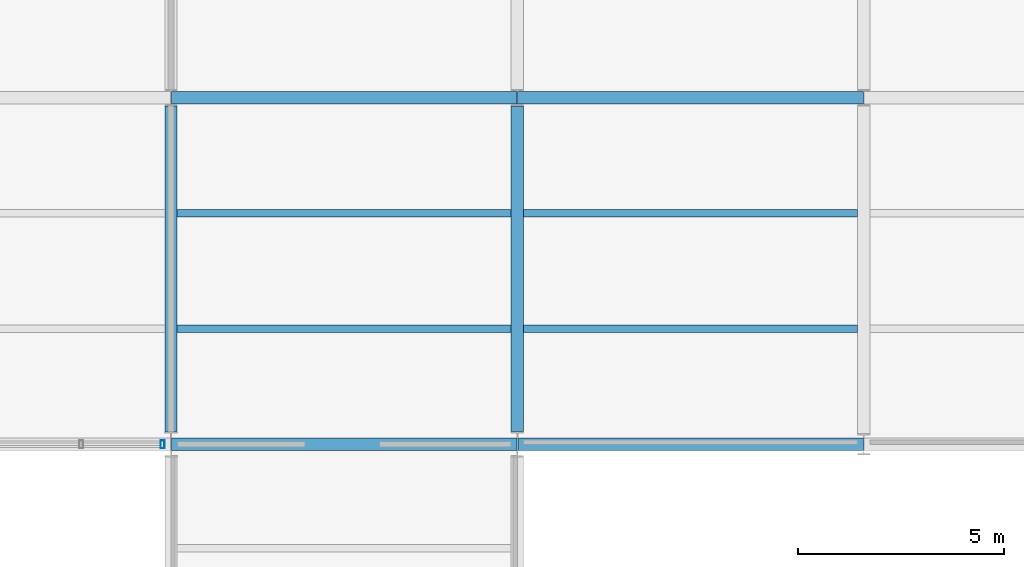
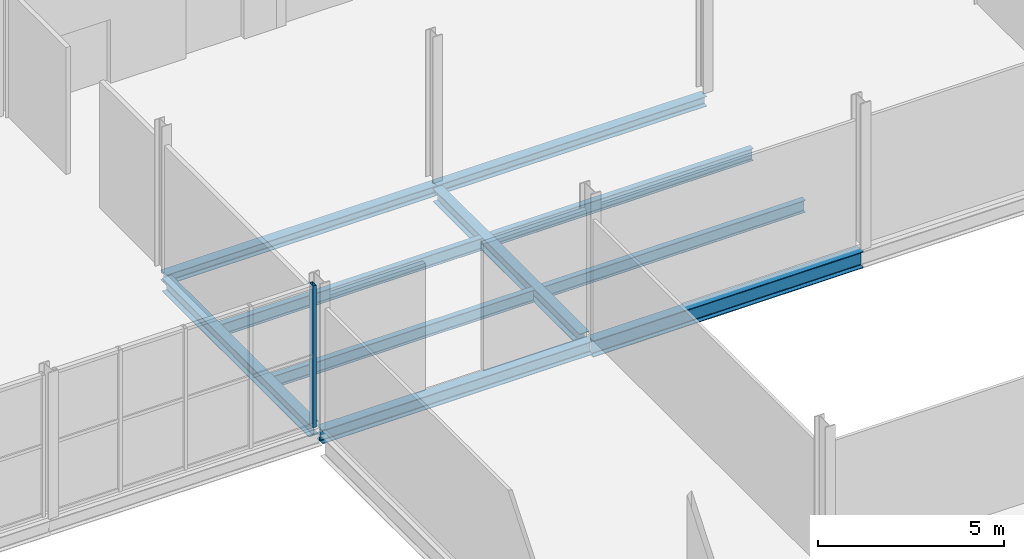
# One storey, part 16 of 57: 10 beams, 1 member, 1 element without a shape of its own.
"""IFC4 building model written with IfcOpenShell, lengths in metres."""

from ifc_helpers import new_model, si_unit, direction, frame, origin, origin_2d, place, context, subcontext, project, spatial, hollow_rectangle, i_section, extrude, material, layer, layer_set, material_profile, profile_set, type_object, element, aggregate, save


model = new_model("IFC4")

# Units and contexts
model_context = context("Model", 3, precision=1e-05, world=origin(), true_north=direction((0.0, 1.0)))
body_context = subcontext(model_context, "Body", "Model", "MODEL_VIEW")
ifc_project = project(units=[si_unit("LENGTHUNIT", "METRE"), si_unit("AREAUNIT", "SQUARE_METRE"), si_unit("VOLUMEUNIT", "CUBIC_METRE"), si_unit("PLANEANGLEUNIT", "RADIAN"), si_unit("MASSUNIT", "GRAM", prefix="KILO")], contexts=[model_context])

# Site, building, storey
site_placement = place(None, origin())
site = spatial("IfcSite", under=ifc_project, at=site_placement, CompositionType="ELEMENT")
building_placement = place(site_placement, origin())
building = spatial("IfcBuilding", under=site, at=building_placement, Name="Galleria Vessillo Department Store", CompositionType="ELEMENT")
storey_placement = place(building_placement, frame((0.0, 0.0, 21.0)))
storey = spatial("IfcBuildingStorey", under=building, at=storey_placement, Name="L04", CompositionType="ELEMENT", Elevation=21.0)

# Beams
ifc_material_1 = material(Name="Steel S355 J2", Category="steel")
ifc_material_profile_1 = material_profile(ifc_material_1, i_section(OverallWidth=0.300048828125, OverallDepth=0.43994140625, WebThickness=0.011474609375, FlangeThickness=0.02099609375, FilletRadius=0.027099609375, at=origin_2d()), Name="HEA 450")
ifc_profile_set_1 = profile_set([ifc_material_profile_1], Name="Steel S355 J2")
beam_type_1 = type_object("IfcBeamType", Name="Bridge girder HEA 450", PredefinedType="BEAM", material=ifc_profile_set_1)
beam_1_placement = place(storey_placement, frame((33.610595703125, 37.800048828125, -0.369873046875), z_axis=(1.0, 0.0, 0.0), x_axis=(0.0, 1.0, 0.0)))
element("IfcBeam", 1, at=beam_1_placement, inside=storey, type_object=beam_type_1, Name="S-BM-L04-BR-x37800-33611", PredefinedType="BEAM", context=body_context, shape_type="SweptSolid", body=[
    extrude(i_section(OverallWidth=0.300048828125, OverallDepth=0.43994140625, WebThickness=0.011474609375, FlangeThickness=0.02099609375, FilletRadius=0.027099609375, at=origin_2d()), origin(), (0.0, 0.0, 1.0), 8.378662109375),
])
ifc_material_2 = material(Name="Steel S355 J2", Category="steel")
ifc_material_profile_2 = material_profile(ifc_material_2, i_section(OverallWidth=0.300048828125, OverallDepth=0.43994140625, WebThickness=0.011474609375, FlangeThickness=0.02099609375, FilletRadius=0.027099609375, at=origin_2d()), Name="HEA 450")
ifc_profile_set_2 = profile_set([ifc_material_profile_2], Name="Steel S355 J2")
beam_type_2 = type_object("IfcBeamType", Name="Floor girder HEA 450", PredefinedType="BEAM", material=ifc_profile_set_2)
for number, where, z_axis, x_axis, name in (
    (2, (33.60009765625, 38.110107421875, -0.369873046875), (0.0, 1.0, 0.0), (-1.0, 0.0, 0.0), "S-BM-L04-GI-y33600-38110"),
    (3, (42.0, 38.110107421875, -0.369873046875), (0.0, 1.0, 0.0), (-1.0, 0.0, 0.0), "S-BM-L04-GI-y42000-38110"),
):
    element("IfcBeam", number, at=place(storey_placement, frame(where, z_axis=z_axis, x_axis=x_axis)), inside=storey, type_object=beam_type_2, Name=name, PredefinedType="BEAM", context=body_context, shape_type="SweptSolid", body=[
        extrude(i_section(OverallWidth=0.300048828125, OverallDepth=0.43994140625, WebThickness=0.011474609375, FlangeThickness=0.02099609375, FilletRadius=0.027099609375, at=origin_2d()), origin(), (0.0, 0.0, 1.0), 7.8896484375),
    ])
ifc_material_3 = material(Name="Steel S355 J2", Category="steel")
ifc_material_profile_3 = material_profile(ifc_material_3, i_section(OverallWidth=0.179931640625, OverallDepth=0.39990234375, WebThickness=0.008544921875, FlangeThickness=0.013427734375, FilletRadius=0.02099609375, at=origin_2d()), Name="IPE 400")
ifc_profile_set_3 = profile_set([ifc_material_profile_3], Name="Steel S355 J2")
beam_type_3 = type_object("IfcBeamType", Name="Floor joist IPE 400", PredefinedType="JOIST", material=ifc_profile_set_3)
for number, where, z_axis, x_axis, name in (
    (4, (33.750244140625, 40.60009765625, -0.349853515625), (1.0, 0.0, 0.0), (0.0, 1.0, 0.0), "S-BM-L04-JO-x40600-33750"),
    (5, (33.750244140625, 43.39990234375, -0.349853515625), (1.0, 0.0, 0.0), (0.0, 1.0, 0.0), "S-BM-L04-JO-x43400-33750"),
    (6, (42.150146484375, 40.60009765625, -0.349853515625), (1.0, 0.0, 0.0), (0.0, 1.0, 0.0), "S-BM-L04-JO-x40600-42150"),
    (7, (42.150146484375, 43.39990234375, -0.349853515625), (1.0, 0.0, 0.0), (0.0, 1.0, 0.0), "S-BM-L04-JO-x43400-42150"),
):
    element("IfcBeam", number, at=place(storey_placement, frame(where, z_axis=z_axis, x_axis=x_axis)), inside=storey, type_object=beam_type_3, Name=name, PredefinedType="JOIST", context=body_context, shape_type="SweptSolid", body=[
        extrude(i_section(OverallWidth=0.179931640625, OverallDepth=0.39990234375, WebThickness=0.008544921875, FlangeThickness=0.013427734375, FilletRadius=0.02099609375, at=origin_2d()), origin(), (0.0, 0.0, 1.0), 8.099609375),
    ])
ifc_material_4 = material(Name="Steel S355 J2", Category="steel")
ifc_material_profile_4 = material_profile(ifc_material_4, i_section(OverallWidth=0.300048828125, OverallDepth=0.330078125, WebThickness=0.009521484375, FlangeThickness=0.0166015625, FilletRadius=0.027099609375, at=origin_2d()), Name="HEA 340")
ifc_profile_set_4 = profile_set([ifc_material_profile_4], Name="Steel S355 J2")
beam_type_4 = type_object("IfcBeamType", Name="Floor tie girder HEA 340", PredefinedType="BEAM", material=ifc_profile_set_4)
for number, where, z_axis, x_axis, name in (
    (8, (33.60693359375, 46.199951171875, -0.31494140625), (1.0, 0.0, 0.0), (0.0, 1.0, 0.0), "S-BM-L04-TI-x46200-33607"),
    (9, (42.0068359375, 46.199951171875, -0.31494140625), (1.0, 0.0, 0.0), (0.0, 1.0, 0.0), "S-BM-L04-TI-x46200-42007"),
):
    element("IfcBeam", number, at=place(storey_placement, frame(where, z_axis=z_axis, x_axis=x_axis)), inside=storey, type_object=beam_type_4, Name=name, PredefinedType="BEAM", context=body_context, shape_type="SweptSolid", body=[
        extrude(i_section(OverallWidth=0.300048828125, OverallDepth=0.330078125, WebThickness=0.009521484375, FlangeThickness=0.0166015625, FilletRadius=0.027099609375, at=origin_2d()), origin(), (0.0, 0.0, 1.0), 8.38623046875),
    ])

# Curtain wall, member
ifc_material_5 = material(Name="Steel and fire-resisting glass curtain wall", Category="steel")
ifc_layer = layer(ifc_material_5, 0.199951171875)
ifc_layer_set = layer_set([ifc_layer], Name="Steel and fire-resisting glass curtain wall")
curtain_wall_type = type_object("IfcCurtainWallType", Name="Arcade fire-resisting glazed shopfront EI 120-Sa", PredefinedType="NOTDEFINED", material=ifc_layer_set)
curtain_wall_placement = place(storey_placement, origin())
curtain_wall = element("IfcCurtainWall", 10, at=curtain_wall_placement, inside=storey, type_object=curtain_wall_type, Name="Arcade fire-resisting glazed shopfront EI 120-Sa AI-AW-N-L04-02", PredefinedType="NOTDEFINED")
ifc_material_6 = material(Name="Steel S355 J2", Category="steel")
ifc_material_profile_5 = material_profile(ifc_material_6, hollow_rectangle(XDim=0.199951171875, YDim=0.10009765625, WallThickness=0.008056640625, at=origin_2d()), Name="RHS 200x100x8")
ifc_profile_set_5 = profile_set([ifc_material_profile_5], Name="Steel S355 J2")
member_type = type_object("IfcMemberType", Name="Steel mullion RHS 200x100x8", PredefinedType="MULLION", material=ifc_profile_set_5)
member_placement = place(storey_placement, frame((33.3974609375, 37.800048828125, 0.0), z_axis=(0.0, 0.0, 1.0), x_axis=(0.0, 1.0, 0.0)))
member = element("IfcMember", 11, at=member_placement, type_object=member_type, Name="CW7 mullion 5", PredefinedType="MULLION", context=body_context, shape_type="SweptSolid", body=[
    extrude(hollow_rectangle(XDim=0.199951171875, YDim=0.10009765625, WallThickness=0.008056640625, at=origin_2d()), origin(), (0.0, 0.0, 1.0), 4.650146484375),
])
aggregate(curtain_wall, [member])

# Beam
ifc_material_7 = material(Name="Steel S355 J2", Category="steel")
ifc_material_profile_6 = material_profile(ifc_material_7, i_section(OverallWidth=0.300048828125, OverallDepth=0.5400390625, WebThickness=0.012451171875, FlangeThickness=0.02392578125, FilletRadius=0.027099609375, at=origin_2d()), Name="HEA 550")
ifc_profile_set_6 = profile_set([ifc_material_profile_6], Name="Steel S355 J2")
beam_type_5 = type_object("IfcBeamType", Name="Trimmer beam HEA 550", PredefinedType="BEAM", material=ifc_profile_set_6)
beam_2_placement = place(storey_placement, frame((42.0107421875, 37.800048828125, -0.419921875), z_axis=(1.0, 0.0, 0.0), x_axis=(0.0, 1.0, 0.0)))
element("IfcBeam", 12, at=beam_2_placement, inside=storey, type_object=beam_type_5, Name="S-BM-L04-TR-x37800-42011", PredefinedType="BEAM", context=body_context, shape_type="SweptSolid", body=[
    extrude(i_section(OverallWidth=0.300048828125, OverallDepth=0.5400390625, WebThickness=0.012451171875, FlangeThickness=0.02392578125, FilletRadius=0.027099609375, at=origin_2d()), origin(), (0.0, 0.0, 1.0), 8.378662109375),
])

save(model, "model.ifc")
